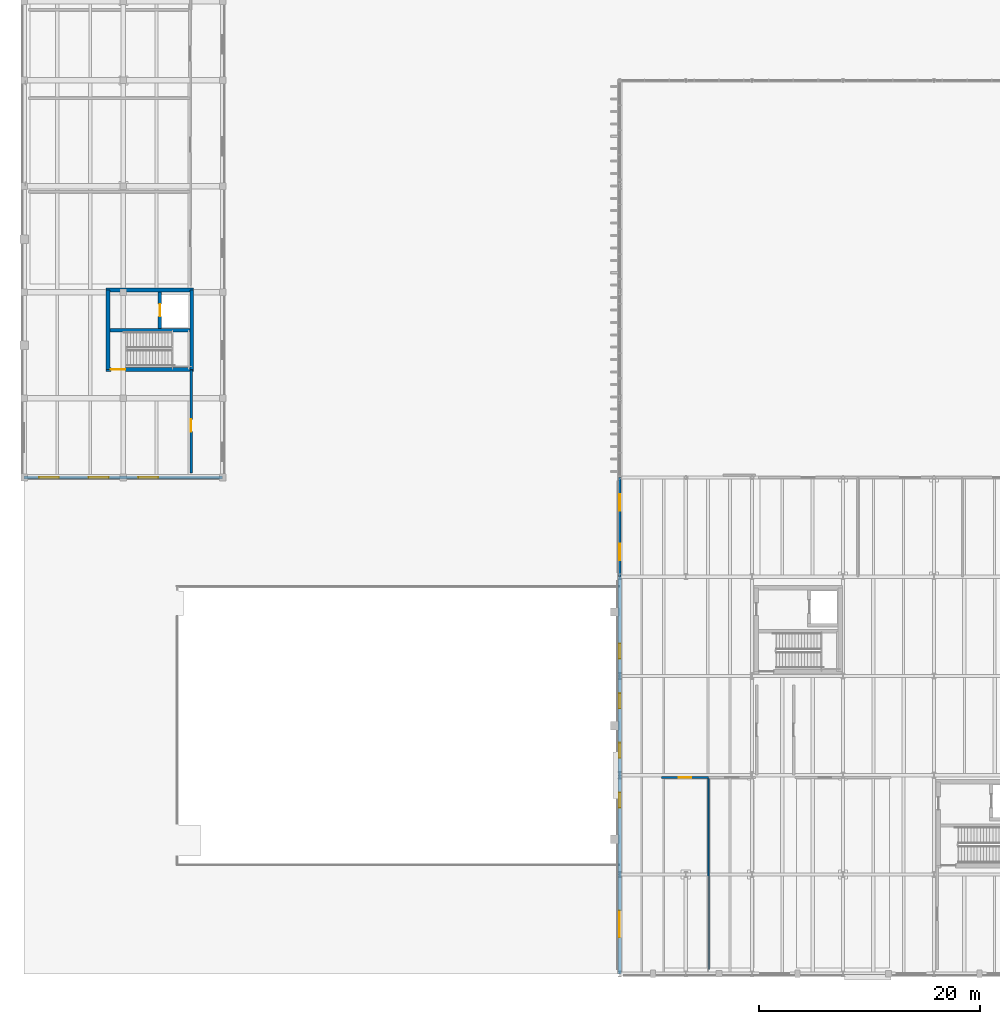
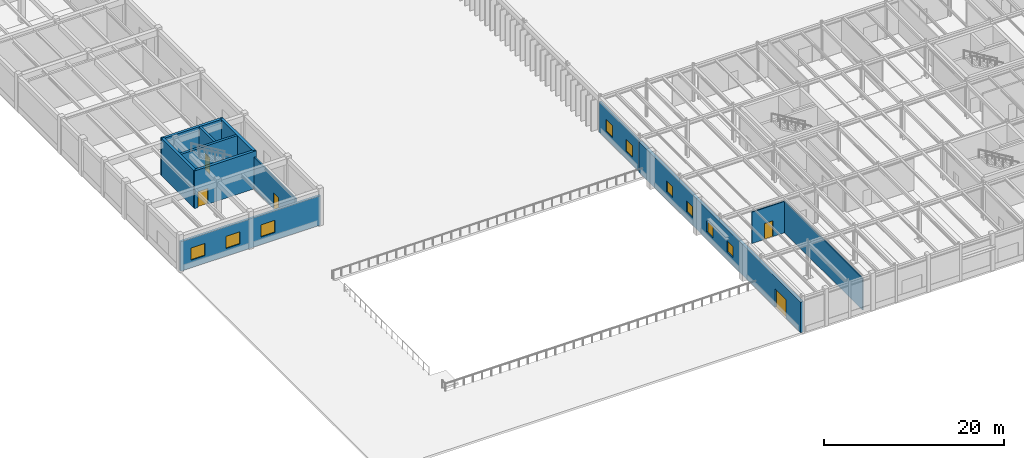
# One storey, part 39 of 64: 12 walls, 9 windows, 5 doors, 14 openings.
"""IFC4 building model written with IfcOpenShell, lengths in metres."""

from ifc_helpers import new_model, si_unit, direction, frame, frame_2d, origin, place, context, subcontext, project, spatial, rectangle, extrude, material, layer, layer_set, type_object, element, fill, save


model = new_model("IFC4")

# Units and contexts
model_context = context("Model", 3, precision=1e-05, world=origin(), true_north=direction((0.0, 1.0)))
body_context = subcontext(model_context, "Body", "Model", "MODEL_VIEW")
ifc_project = project(units=[si_unit("LENGTHUNIT", "METRE"), si_unit("AREAUNIT", "SQUARE_METRE"), si_unit("VOLUMEUNIT", "CUBIC_METRE"), si_unit("PLANEANGLEUNIT", "RADIAN"), si_unit("MASSUNIT", "GRAM", prefix="KILO")], contexts=[model_context])

# Site, building, storey
site_placement = place(None, origin())
site = spatial("IfcSite", under=ifc_project, at=site_placement, CompositionType="ELEMENT")
building_placement = place(site_placement, origin())
building = spatial("IfcBuilding", under=site, at=building_placement, Name="Montealbar Specialist Clinic", CompositionType="ELEMENT")
storey_placement = place(building_placement, origin())
storey = spatial("IfcBuildingStorey", under=building, at=storey_placement, Name="L00", CompositionType="ELEMENT", Elevation=0.0)

# Wall
ifc_material_1 = material(Name="Concrete C35/45", Category="concrete")
ifc_layer_1 = layer(ifc_material_1, 0.300048828125, Name="Concrete C35/45", Category="concrete")
ifc_layer_set_1 = layer_set([ifc_layer_1], Name="Concrete C35/45")
wall_type_1 = type_object("IfcWallType", Name="WL-CORE-300", PredefinedType="SHEAR", material=ifc_layer_set_1)
wall_1_placement = place(storey_placement, frame((7.77490234375, 58.35009765625, 0.0), z_axis=(0.0, 0.0, 1.0), x_axis=(1.0, 0.0, 0.0)))
element("IfcWall", 1, at=wall_1_placement, inside=storey, type_object=wall_type_1, Name="Core C1 Stairwell Wall L00", PredefinedType="SHEAR", context=body_context, shape_type="SweptSolid", body=[
    extrude(rectangle(XDim=7.25, YDim=0.300048828125, at=frame_2d((3.625, 0.0))), origin(), (0.0, 0.0, 1.0), 5.10009765625),
])

# Wall, opening, door
wall_2_placement = place(storey_placement, frame((12.300048828125, 58.5, 0.0), z_axis=(0.0, 0.0, 1.0), x_axis=(0.0, 1.0, 0.0)))
wall_2 = element("IfcWall", 2, at=wall_2_placement, inside=storey, type_object=wall_type_1, Name="Lift LF-01 Shaft Wall L00 LW", PredefinedType="SHEAR", context=body_context, shape_type="SweptSolid", body=[
    extrude(rectangle(XDim=3.324951171875, YDim=0.300048828125, at=frame_2d((1.66259765625, 0.0))), origin(), (0.0, 0.0, 1.0), 5.10009765625),
])
opening_1_placement = place(wall_2_placement, frame((1.113037109375, 0.0, 0.0)))
opening_1 = element("IfcOpeningElement", 3, at=opening_1_placement, cuts=wall_2, Name="Opening LD-11", PredefinedType="OPENING", context=body_context, shape_type="SweptSolid", body=[
    extrude(rectangle(XDim=1.10009765625, YDim=2.14990234375, at=frame_2d((0.550048828125, 1.074951171875))), frame((0.0, 0.159912109375, 0.0), z_axis=(0.0, -1.0, 0.0), x_axis=(1.0, 0.0, 0.0)), (0.0, 0.0, 1.0), 0.320068359375),
])
ifc_material_2 = material(Name="Steel S355", Category="steel")
door_type_1 = type_object("IfcDoorType", Name="DR-LIFT-LD1100", OperationType="DOUBLE_DOOR_SLIDING", PredefinedType="DOOR", material=ifc_material_2)
door_1_placement = place(opening_1_placement, origin())
door_1 = element("IfcDoor", 4, at=door_1_placement, inside=storey, type_object=door_type_1, Name="Lift LF-01 Sliding Landing Door L00", OperationType="DOUBLE_DOOR_SLIDING", OverallHeight=2.14990234375, OverallWidth=1.10009765625, PredefinedType="DOOR", context=body_context, shape_type="SweptSolid", body=[
    extrude(rectangle(XDim=1.10009765625, YDim=2.14990234375, at=frame_2d((0.550048828125, 1.074951171875))), frame((0.0, 0.02490234375, 0.0), z_axis=(0.0, -1.0, 0.0), x_axis=(1.0, 0.0, 0.0)), (0.0, 0.0, 1.0), 0.050048828125),
])
fill(opening_1, door_1)

ifc_layer_2 = layer(ifc_material_1, 0.35009765625, Name="Concrete C35/45", Category="concrete")
ifc_layer_set_2 = layer_set([ifc_layer_2], Name="Concrete C35/45")
wall_type_2 = type_object("IfcWallType", Name="WL-CORE-350", PredefinedType="SHEAR", material=ifc_layer_set_2)
wall_3_placement = place(storey_placement, frame((7.425048828125, 54.800048828125, 0.0), z_axis=(0.0, 0.0, 1.0), x_axis=(1.0, 0.0, 0.0)))
wall_3 = element("IfcWall", 5, at=wall_3_placement, inside=storey, type_object=wall_type_2, Name="Core C1 Shear Wall L00 S", PredefinedType="SHEAR", context=body_context, shape_type="SweptSolid", body=[
    extrude(rectangle(XDim=7.949951171875, YDim=0.35009765625, at=frame_2d((3.97509765625, 0.0))), origin(), (0.0, 0.0, 1.0), 5.10009765625),
])
opening_2_placement = place(wall_3_placement, frame((0.449951171875, 0.0, 0.0)))
opening_2 = element("IfcOpeningElement", 6, at=opening_2_placement, cuts=wall_3, Name="Opening SD-13", PredefinedType="OPENING", context=body_context, shape_type="SweptSolid", body=[
    extrude(rectangle(XDim=1.300048828125, YDim=2.14990234375, at=frame_2d((0.64990234375, 1.074951171875))), frame((0.0, 0.18505859375, 0.0), z_axis=(0.0, -1.0, 0.0), x_axis=(1.0, 0.0, 0.0)), (0.0, 0.0, 1.0), 0.3701171875),
])
door_type_2 = type_object("IfcDoorType", Name="DR-STAIR-W1300", OperationType="NOTDEFINED", PredefinedType="DOOR", material=ifc_material_2)
door_2_placement = place(opening_2_placement, frame((1.300048828125, 0.0, 0.0), z_axis=(0.0, 0.0, 1.0), x_axis=(-1.0, 0.0, 0.0)))
door_2 = element("IfcDoor", 7, at=door_2_placement, inside=storey, type_object=door_type_2, Name="Protected Core C1 Stair Fire Door L00", OperationType="SINGLE_SWING_RIGHT", OverallHeight=2.14990234375, OverallWidth=1.300048828125, PredefinedType="DOOR", context=body_context, shape_type="SweptSolid", body=[
    extrude(rectangle(XDim=1.300048828125, YDim=2.14990234375, at=frame_2d((0.64990234375, 1.074951171875))), frame((0.0, 0.02490234375, 0.0), z_axis=(0.0, -1.0, 0.0), x_axis=(1.0, 0.0, 0.0)), (0.0, 0.0, 1.0), 0.050048828125),
])
fill(opening_2, door_2)

# Walls
wall_4_placement = place(storey_placement, frame((7.425048828125, 62.0, 0.0), z_axis=(0.0, 0.0, 1.0), x_axis=(1.0, 0.0, 0.0)))
element("IfcWall", 8, at=wall_4_placement, inside=storey, type_object=wall_type_2, Name="Core C1 Shear Wall L00 N", PredefinedType="SHEAR", context=body_context, shape_type="SweptSolid", body=[
    extrude(rectangle(XDim=7.949951171875, YDim=0.35009765625, at=frame_2d((3.97509765625, 0.0))), origin(), (0.0, 0.0, 1.0), 5.10009765625),
])
for number, where, z_axis, x_axis, name in (
    (9, (7.60009765625, 54.800048828125, 0.0), (0.0, 0.0, 1.0), (0.0, 1.0, 0.0), "Core C1 Shear Wall L00 W"),
    (10, (15.199951171875, 54.800048828125, 0.0), (0.0, 0.0, 1.0), (0.0, 1.0, 0.0), "Core C1 Shear Wall L00 E"),
):
    element("IfcWall", number, at=place(storey_placement, frame(where, z_axis=z_axis, x_axis=x_axis)), inside=storey, type_object=wall_type_2, Name=name, PredefinedType="SHEAR", context=body_context, shape_type="SweptSolid", body=[
        extrude(rectangle(XDim=7.199951171875, YDim=0.35009765625, at=frame_2d((3.60009765625, 0.0))), origin(), (0.0, 0.0, 1.0), 5.10009765625),
    ])

# Wall, openings, windows
ifc_material_3 = material(Name="Precast concrete C40/50", Category="concrete")
ifc_layer_3 = layer(ifc_material_3, 0.239990234375, Name="Precast concrete C40/50", Category="concrete")
ifc_layer_set_3 = layer_set([ifc_layer_3], Name="Precast concrete C40/50")
wall_type_3 = type_object("IfcWallType", Name="WL-EXT-CLINIC-240", PredefinedType="SOLIDWALL", material=ifc_layer_set_3)
wall_5_placement = place(storey_placement, frame((54.0, 36.0, 0.0), z_axis=(0.0, 0.0, 1.0), x_axis=(0.0, 1.0, 0.0)))
wall_5 = element("IfcWall", 11, at=wall_5_placement, inside=storey, type_object=wall_type_3, Name="Exterior Facade Wall EW-L00-003", PredefinedType="SOLIDWALL", context=body_context, shape_type="SweptSolid", body=[
    extrude(rectangle(XDim=9.0, YDim=0.239990234375, at=frame_2d((4.5, 0.0))), origin(), (0.0, 0.0, 1.0), 4.159912109375),
])
opening_3_placement = place(wall_5_placement, frame((1.5, 0.0, 1.050048828125)))
opening_3 = element("IfcOpeningElement", 12, at=opening_3_placement, cuts=wall_5, Name="Opening WN-03", PredefinedType="OPENING", context=body_context, shape_type="SweptSolid", body=[
    extrude(rectangle(XDim=1.5, YDim=1.60009765625, at=frame_2d((0.75, 0.800048828125))), frame((0.0, 0.1298828125, 0.0), z_axis=(0.0, -1.0, 0.0), x_axis=(1.0, 0.0, 0.0)), (0.0, 0.0, 1.0), 0.260009765625),
])
opening_4_placement = place(wall_5_placement, frame((6.0, 0.0, 1.050048828125)))
opening_4 = element("IfcOpeningElement", 13, at=opening_4_placement, cuts=wall_5, Name="Opening WN-03", PredefinedType="OPENING", context=body_context, shape_type="SweptSolid", body=[
    extrude(rectangle(XDim=1.5, YDim=1.60009765625, at=frame_2d((0.75, 0.800048828125))), frame((0.0, 0.1298828125, 0.0), z_axis=(0.0, -1.0, 0.0), x_axis=(1.0, 0.0, 0.0)), (0.0, 0.0, 1.0), 0.260009765625),
])
ifc_material_4 = material(Name="Low-E double glazing", Category="glass")
window_type_1 = type_object("IfcWindowType", Name="WIN-WN-03", PartitioningType="SINGLE_PANEL", PredefinedType="WINDOW", material=ifc_material_4)
window_1_placement = place(opening_3_placement, origin())
window_1 = element("IfcWindow", 14, at=window_1_placement, inside=storey, type_object=window_type_1, Name="Clinical Facade Window WN-03 L00-0007", OverallHeight=1.60009765625, OverallWidth=1.5, PartitioningType="SINGLE_PANEL", PredefinedType="WINDOW", context=body_context, shape_type="SweptSolid", body=[
    extrude(rectangle(XDim=1.5, YDim=1.60009765625, at=frame_2d((0.75, 0.800048828125))), frame((0.0, 0.030029296875, 0.0), z_axis=(0.0, -1.0, 0.0), x_axis=(1.0, 0.0, 0.0)), (0.0, 0.0, 1.0), 0.06005859375),
])
fill(opening_3, window_1)
window_2_placement = place(opening_4_placement, origin())
window_2 = element("IfcWindow", 15, at=window_2_placement, inside=storey, type_object=window_type_1, Name="Clinical Facade Window WN-03 L00-0008", OverallHeight=1.60009765625, OverallWidth=1.5, PartitioningType="SINGLE_PANEL", PredefinedType="WINDOW", context=body_context, shape_type="SweptSolid", body=[
    extrude(rectangle(XDim=1.5, YDim=1.60009765625, at=frame_2d((0.75, 0.800048828125))), frame((0.0, 0.030029296875, 0.0), z_axis=(0.0, -1.0, 0.0), x_axis=(1.0, 0.0, 0.0)), (0.0, 0.0, 1.0), 0.06005859375),
])
fill(opening_4, window_2)

# Wall, openings, door, windows
ifc_material_5 = material(Name="Guadarrama granite ashlar", Category="masonry")
ifc_layer_4 = layer(ifc_material_5, 0.35009765625, Name="Guadarrama granite ashlar", Category="masonry")
ifc_layer_set_4 = layer_set([ifc_layer_4], Name="Guadarrama granite ashlar")
wall_type_4 = type_object("IfcWallType", Name="WL-EXT-GRANITE-350", PredefinedType="SOLIDWALL", material=ifc_layer_set_4)
wall_6_placement = place(storey_placement, frame((54.0, 0.0, 0.0), z_axis=(0.0, 0.0, 1.0), x_axis=(0.0, 1.0, 0.0)))
wall_6 = element("IfcWall", 16, at=wall_6_placement, inside=storey, type_object=wall_type_4, Name="Exterior Facade Wall EW-L00-002", PredefinedType="SOLIDWALL", context=body_context, shape_type="SweptSolid", body=[
    extrude(rectangle(XDim=36.0, YDim=0.35009765625, at=frame_2d((18.0, 0.0))), origin(), (0.0, 0.0, 1.0), 4.159912109375),
])
opening_5_placement = place(wall_6_placement, frame((3.300048828125, 0.0, 0.0)))
opening_5 = element("IfcOpeningElement", 17, at=opening_5_placement, cuts=wall_6, Name="Opening ED-24", PredefinedType="OPENING", context=body_context, shape_type="SweptSolid", body=[
    extrude(rectangle(XDim=2.39990234375, YDim=2.5, at=frame_2d((1.199951171875, 1.25))), frame((0.0, 0.18505859375, 0.0), z_axis=(0.0, -1.0, 0.0), x_axis=(1.0, 0.0, 0.0)), (0.0, 0.0, 1.0), 0.3701171875),
])
opening_6_placement = place(wall_6_placement, frame((15.074951171875, 0.0, 1.050048828125)))
opening_6 = element("IfcOpeningElement", 18, at=opening_6_placement, cuts=wall_6, Name="Opening WN-02", PredefinedType="OPENING", context=body_context, shape_type="SweptSolid", body=[
    extrude(rectangle(XDim=1.35009765625, YDim=1.5, at=frame_2d((0.675048828125, 0.75))), frame((0.0, 0.18505859375, 0.0), z_axis=(0.0, -1.0, 0.0), x_axis=(1.0, 0.0, 0.0)), (0.0, 0.0, 1.0), 0.3701171875),
])
opening_7_placement = place(wall_6_placement, frame((19.574951171875, 0.0, 1.050048828125)))
opening_7 = element("IfcOpeningElement", 19, at=opening_7_placement, cuts=wall_6, Name="Opening WN-02", PredefinedType="OPENING", context=body_context, shape_type="SweptSolid", body=[
    extrude(rectangle(XDim=1.35009765625, YDim=1.5, at=frame_2d((0.675048828125, 0.75))), frame((0.0, 0.18505859375, 0.0), z_axis=(0.0, -1.0, 0.0), x_axis=(1.0, 0.0, 0.0)), (0.0, 0.0, 1.0), 0.3701171875),
])
opening_8_placement = place(wall_6_placement, frame((24.074951171875, 0.0, 1.050048828125)))
opening_8 = element("IfcOpeningElement", 20, at=opening_8_placement, cuts=wall_6, Name="Opening WN-02", PredefinedType="OPENING", context=body_context, shape_type="SweptSolid", body=[
    extrude(rectangle(XDim=1.35009765625, YDim=1.5, at=frame_2d((0.675048828125, 0.75))), frame((0.0, 0.18505859375, 0.0), z_axis=(0.0, -1.0, 0.0), x_axis=(1.0, 0.0, 0.0)), (0.0, 0.0, 1.0), 0.3701171875),
])
opening_9_placement = place(wall_6_placement, frame((28.574951171875, 0.0, 1.050048828125)))
opening_9 = element("IfcOpeningElement", 21, at=opening_9_placement, cuts=wall_6, Name="Opening WN-02", PredefinedType="OPENING", context=body_context, shape_type="SweptSolid", body=[
    extrude(rectangle(XDim=1.35009765625, YDim=1.5, at=frame_2d((0.675048828125, 0.75))), frame((0.0, 0.18505859375, 0.0), z_axis=(0.0, -1.0, 0.0), x_axis=(1.0, 0.0, 0.0)), (0.0, 0.0, 1.0), 0.3701171875),
])
ifc_material_6 = material(Name="Powder-coated aluminium", Category="aluminium")
door_type_3 = type_object("IfcDoorType", Name="DR-PLAZA-W2400", OperationType="DOUBLE_DOOR_SINGLE_SWING", PredefinedType="DOOR", material=ifc_material_6)
door_3_placement = place(opening_5_placement, origin())
door_3 = element("IfcDoor", 22, at=door_3_placement, inside=storey, type_object=door_type_3, Name="South-West Forecourt Plaza Entrance Portal", OperationType="DOUBLE_DOOR_SINGLE_SWING", OverallHeight=2.5, OverallWidth=2.39990234375, PredefinedType="DOOR", context=body_context, shape_type="SweptSolid", body=[
    extrude(rectangle(XDim=2.39990234375, YDim=2.5, at=frame_2d((1.199951171875, 1.25))), frame((0.0, 0.02490234375, 0.0), z_axis=(0.0, -1.0, 0.0), x_axis=(1.0, 0.0, 0.0)), (0.0, 0.0, 1.0), 0.050048828125),
])
fill(opening_5, door_3)
window_type_2 = type_object("IfcWindowType", Name="WIN-WN-02", PartitioningType="SINGLE_PANEL", PredefinedType="WINDOW", material=ifc_material_4)
window_3_placement = place(opening_6_placement, origin())
window_3 = element("IfcWindow", 23, at=window_3_placement, inside=storey, type_object=window_type_2, Name="Clinical Facade Window WN-02 L00-0003", OverallHeight=1.5, OverallWidth=1.35009765625, PartitioningType="SINGLE_PANEL", PredefinedType="WINDOW", context=body_context, shape_type="SweptSolid", body=[
    extrude(rectangle(XDim=1.35009765625, YDim=1.5, at=frame_2d((0.675048828125, 0.75))), frame((0.0, 0.030029296875, 0.0), z_axis=(0.0, -1.0, 0.0), x_axis=(1.0, 0.0, 0.0)), (0.0, 0.0, 1.0), 0.06005859375),
])
fill(opening_6, window_3)
window_4_placement = place(opening_7_placement, origin())
window_4 = element("IfcWindow", 24, at=window_4_placement, inside=storey, type_object=window_type_2, Name="Clinical Facade Window WN-02 L00-0004", OverallHeight=1.5, OverallWidth=1.35009765625, PartitioningType="SINGLE_PANEL", PredefinedType="WINDOW", context=body_context, shape_type="SweptSolid", body=[
    extrude(rectangle(XDim=1.35009765625, YDim=1.5, at=frame_2d((0.675048828125, 0.75))), frame((0.0, 0.030029296875, 0.0), z_axis=(0.0, -1.0, 0.0), x_axis=(1.0, 0.0, 0.0)), (0.0, 0.0, 1.0), 0.06005859375),
])
fill(opening_7, window_4)
window_5_placement = place(opening_8_placement, origin())
window_5 = element("IfcWindow", 25, at=window_5_placement, inside=storey, type_object=window_type_2, Name="Clinical Facade Window WN-02 L00-0005", OverallHeight=1.5, OverallWidth=1.35009765625, PartitioningType="SINGLE_PANEL", PredefinedType="WINDOW", context=body_context, shape_type="SweptSolid", body=[
    extrude(rectangle(XDim=1.35009765625, YDim=1.5, at=frame_2d((0.675048828125, 0.75))), frame((0.0, 0.030029296875, 0.0), z_axis=(0.0, -1.0, 0.0), x_axis=(1.0, 0.0, 0.0)), (0.0, 0.0, 1.0), 0.06005859375),
])
fill(opening_8, window_5)
window_6_placement = place(opening_9_placement, origin())
window_6 = element("IfcWindow", 26, at=window_6_placement, inside=storey, type_object=window_type_2, Name="Clinical Facade Window WN-02 L00-0006", OverallHeight=1.5, OverallWidth=1.35009765625, PartitioningType="SINGLE_PANEL", PredefinedType="WINDOW", context=body_context, shape_type="SweptSolid", body=[
    extrude(rectangle(XDim=1.35009765625, YDim=1.5, at=frame_2d((0.675048828125, 0.75))), frame((0.0, 0.030029296875, 0.0), z_axis=(0.0, -1.0, 0.0), x_axis=(1.0, 0.0, 0.0)), (0.0, 0.0, 1.0), 0.06005859375),
])
fill(opening_9, window_6)

# Wall, openings, windows
ifc_layer_5 = layer(ifc_material_3, 0.280029296875, Name="Precast concrete C40/50", Category="concrete")
ifc_layer_set_5 = layer_set([ifc_layer_5], Name="Precast concrete C40/50")
wall_type_5 = type_object("IfcWallType", Name="WL-EXT-PRECAST-280", PredefinedType="SOLIDWALL", material=ifc_layer_set_5)
wall_7_placement = place(storey_placement, frame((18.0, 45.0, 0.0), z_axis=(0.0, 0.0, 1.0), x_axis=(-1.0, 0.0, 0.0)))
wall_7 = element("IfcWall", 27, at=wall_7_placement, inside=storey, type_object=wall_type_5, Name="Exterior Facade Wall EW-L00-021", PredefinedType="SOLIDWALL", context=body_context, shape_type="SweptSolid", body=[
    extrude(rectangle(XDim=18.0, YDim=0.280029296875, at=frame_2d((9.0, 0.0))), origin(), (0.0, 0.0, 1.0), 4.010009765625),
])
opening_10_placement = place(wall_7_placement, frame((5.85009765625, 0.0, 1.050048828125)))
opening_10 = element("IfcOpeningElement", 28, at=opening_10_placement, cuts=wall_7, Name="Opening WN-05", PredefinedType="OPENING", context=body_context, shape_type="SweptSolid", body=[
    extrude(rectangle(XDim=1.800048828125, YDim=1.64990234375, at=frame_2d((0.89990234375, 0.824951171875))), frame((0.0, 0.14990234375, 0.0), z_axis=(0.0, -1.0, 0.0), x_axis=(1.0, 0.0, 0.0)), (0.0, 0.0, 1.0), 0.300048828125),
])
opening_11_placement = place(wall_7_placement, frame((10.35009765625, 0.0, 1.050048828125)))
opening_11 = element("IfcOpeningElement", 29, at=opening_11_placement, cuts=wall_7, Name="Opening WN-05", PredefinedType="OPENING", context=body_context, shape_type="SweptSolid", body=[
    extrude(rectangle(XDim=1.800048828125, YDim=1.64990234375, at=frame_2d((0.89990234375, 0.824951171875))), frame((0.0, 0.14990234375, 0.0), z_axis=(0.0, -1.0, 0.0), x_axis=(1.0, 0.0, 0.0)), (0.0, 0.0, 1.0), 0.300048828125),
])
opening_12_placement = place(wall_7_placement, frame((14.85009765625, 0.0, 1.050048828125)))
opening_12 = element("IfcOpeningElement", 30, at=opening_12_placement, cuts=wall_7, Name="Opening WN-05", PredefinedType="OPENING", context=body_context, shape_type="SweptSolid", body=[
    extrude(rectangle(XDim=1.800048828125, YDim=1.64990234375, at=frame_2d((0.89990234375, 0.824951171875))), frame((0.0, 0.14990234375, 0.0), z_axis=(0.0, -1.0, 0.0), x_axis=(1.0, 0.0, 0.0)), (0.0, 0.0, 1.0), 0.300048828125),
])
window_type_3 = type_object("IfcWindowType", Name="WIN-WN-05", PartitioningType="SINGLE_PANEL", PredefinedType="WINDOW", material=ifc_material_4)
window_7_placement = place(opening_10_placement, origin())
window_7 = element("IfcWindow", 31, at=window_7_placement, inside=storey, type_object=window_type_3, Name="Clinical Facade Window WN-05 L00-0067", OverallHeight=1.64990234375, OverallWidth=1.800048828125, PartitioningType="SINGLE_PANEL", PredefinedType="WINDOW", context=body_context, shape_type="SweptSolid", body=[
    extrude(rectangle(XDim=1.800048828125, YDim=1.64990234375, at=frame_2d((0.89990234375, 0.824951171875))), frame((0.0, 0.030029296875, 0.0), z_axis=(0.0, -1.0, 0.0), x_axis=(1.0, 0.0, 0.0)), (0.0, 0.0, 1.0), 0.06005859375),
])
fill(opening_10, window_7)
window_8_placement = place(opening_11_placement, origin())
window_8 = element("IfcWindow", 32, at=window_8_placement, inside=storey, type_object=window_type_3, Name="Clinical Facade Window WN-05 L00-0068", OverallHeight=1.64990234375, OverallWidth=1.800048828125, PartitioningType="SINGLE_PANEL", PredefinedType="WINDOW", context=body_context, shape_type="SweptSolid", body=[
    extrude(rectangle(XDim=1.800048828125, YDim=1.64990234375, at=frame_2d((0.89990234375, 0.824951171875))), frame((0.0, 0.030029296875, 0.0), z_axis=(0.0, -1.0, 0.0), x_axis=(1.0, 0.0, 0.0)), (0.0, 0.0, 1.0), 0.06005859375),
])
fill(opening_11, window_8)
window_9_placement = place(opening_12_placement, origin())
window_9 = element("IfcWindow", 33, at=window_9_placement, inside=storey, type_object=window_type_3, Name="Clinical Facade Window WN-05 L00-0069", OverallHeight=1.64990234375, OverallWidth=1.800048828125, PartitioningType="SINGLE_PANEL", PredefinedType="WINDOW", context=body_context, shape_type="SweptSolid", body=[
    extrude(rectangle(XDim=1.800048828125, YDim=1.64990234375, at=frame_2d((0.89990234375, 0.824951171875))), frame((0.0, 0.030029296875, 0.0), z_axis=(0.0, -1.0, 0.0), x_axis=(1.0, 0.0, 0.0)), (0.0, 0.0, 1.0), 0.06005859375),
])
fill(opening_12, window_9)

# Wall
ifc_material_7 = material(Name="Gypsum acoustic partition", Category="gypsum")
ifc_layer_6 = layer(ifc_material_7, 0.139892578125, Name="Gypsum acoustic partition", Category="gypsum")
ifc_layer_set_6 = layer_set([ifc_layer_6], Name="Gypsum acoustic partition")
wall_type_6 = type_object("IfcWallType", Name="WL-PART-ACOUSTIC-140", PredefinedType="PARTITIONING", material=ifc_layer_set_6)
wall_8_placement = place(storey_placement, frame((62.050048828125, 0.39990234375, 0.0), z_axis=(0.0, 0.0, 1.0), x_axis=(0.0, 1.0, 0.0)))
element("IfcWall", 34, at=wall_8_placement, inside=storey, type_object=wall_type_6, Name="Clinical Partition PART-L00-0056", PredefinedType="PARTITIONING", context=body_context, shape_type="SweptSolid", body=[
    extrude(rectangle(XDim=17.400146484375, YDim=0.139892578125, at=frame_2d((8.7001953125, 0.0))), origin(), (0.0, 0.0, 1.0), 4.31005859375),
])

# Wall, opening, door
ifc_layer_7 = layer(ifc_material_7, 0.159912109375, Name="Gypsum acoustic partition", Category="gypsum")
ifc_layer_set_7 = layer_set([ifc_layer_7], Name="Gypsum acoustic partition")
wall_type_7 = type_object("IfcWallType", Name="WL-PART-CLINIC-160", PredefinedType="PARTITIONING", material=ifc_layer_set_7)
wall_9_placement = place(storey_placement, frame((57.800048828125, 17.800048828125, 0.0), z_axis=(0.0, 0.0, 1.0), x_axis=(1.0, 0.0, 0.0)))
wall_9 = element("IfcWall", 35, at=wall_9_placement, inside=storey, type_object=wall_type_7, Name="Clinical Partition PART-L00-0055", PredefinedType="PARTITIONING", context=body_context, shape_type="SweptSolid", body=[
    extrude(rectangle(XDim=4.25, YDim=0.159912109375, at=frame_2d((2.125, 0.0))), origin(), (0.0, 0.0, 1.0), 4.260009765625),
])
opening_13_placement = place(wall_9_placement, frame((1.574951171875, 0.0, 0.0)))
opening_13 = element("IfcOpeningElement", 36, at=opening_13_placement, cuts=wall_9, Name="Opening ID-110", PredefinedType="OPENING", context=body_context, shape_type="SweptSolid", body=[
    extrude(rectangle(XDim=1.10009765625, YDim=2.14990234375, at=frame_2d((0.550048828125, 1.074951171875))), frame((0.0, 0.08984375, 0.0), z_axis=(0.0, -1.0, 0.0), x_axis=(1.0, 0.0, 0.0)), (0.0, 0.0, 1.0), 0.179931640625),
])
ifc_material_8 = material(Name="Acoustic timber leaf", Category="wood")
door_type_4 = type_object("IfcDoorType", Name="DR-CLIN-W1100", OperationType="NOTDEFINED", PredefinedType="DOOR", material=ifc_material_8)
door_4_placement = place(opening_13_placement, origin())
door_4 = element("IfcDoor", 37, at=door_4_placement, inside=storey, type_object=door_type_4, Name="Clinical Room Door IDR-L00-0038", OperationType="SINGLE_SWING_RIGHT", OverallHeight=2.14990234375, OverallWidth=1.10009765625, PredefinedType="DOOR", context=body_context, shape_type="SweptSolid", body=[
    extrude(rectangle(XDim=1.10009765625, YDim=2.14990234375, at=frame_2d((0.550048828125, 1.074951171875))), frame((0.0, 0.02490234375, 0.0), z_axis=(0.0, -1.0, 0.0), x_axis=(1.0, 0.0, 0.0)), (0.0, 0.0, 1.0), 0.050048828125),
])
fill(opening_13, door_4)

ifc_material_9 = material(Name="Concrete C30/37", Category="concrete")
ifc_layer_8 = layer(ifc_material_9, 0.199951171875, Name="Concrete C30/37", Category="concrete")
ifc_layer_set_8 = layer_set([ifc_layer_8], Name="Concrete C30/37")
wall_type_8 = type_object("IfcWallType", Name="WL-PART-FIRE-200", PredefinedType="PARTITIONING", material=ifc_layer_set_8)
wall_10_placement = place(storey_placement, frame((15.14990234375, 45.39990234375, 0.0), z_axis=(0.0, 0.0, 1.0), x_axis=(0.0, 1.0, 0.0)))
wall_10 = element("IfcWall", 38, at=wall_10_placement, inside=storey, type_object=wall_type_8, Name="Clinical Partition PART-L00-0017", PredefinedType="PARTITIONING", context=body_context, shape_type="SweptSolid", body=[
    extrude(rectangle(XDim=9.35009765625, YDim=0.199951171875, at=frame_2d((4.675048828125, 0.0))), origin(), (0.0, 0.0, 1.0), 4.320068359375),
])
opening_14_placement = place(wall_10_placement, frame((3.7529296875, 0.0, 0.0)))
opening_14 = element("IfcOpeningElement", 39, at=opening_14_placement, cuts=wall_10, Name="Opening FD-110", PredefinedType="OPENING", context=body_context, shape_type="SweptSolid", body=[
    extrude(rectangle(XDim=1.1201171875, YDim=2.14990234375, at=frame_2d((0.56005859375, 1.074951171875))), frame((0.0, 0.10986328125, 0.0), z_axis=(0.0, -1.0, 0.0), x_axis=(1.0, 0.0, 0.0)), (0.0, 0.0, 1.0), 0.219970703125),
])
door_type_5 = type_object("IfcDoorType", Name="DR-FIRE-W1100", OperationType="NOTDEFINED", PredefinedType="DOOR", material=ifc_material_2)
door_5_placement = place(opening_14_placement, origin())
door_5 = element("IfcDoor", 40, at=door_5_placement, inside=storey, type_object=door_type_5, Name="Clinical Room Door IDR-L00-0011", OperationType="SINGLE_SWING_RIGHT", OverallHeight=2.14990234375, OverallWidth=1.1201171875, PredefinedType="DOOR", context=body_context, shape_type="SweptSolid", body=[
    extrude(rectangle(XDim=1.1201171875, YDim=2.14990234375, at=frame_2d((0.56005859375, 1.074951171875))), frame((0.0, 0.02490234375, 0.0), z_axis=(0.0, -1.0, 0.0), x_axis=(1.0, 0.0, 0.0)), (0.0, 0.0, 1.0), 0.050048828125),
])
fill(opening_14, door_5)

save(model, "model.ifc")
